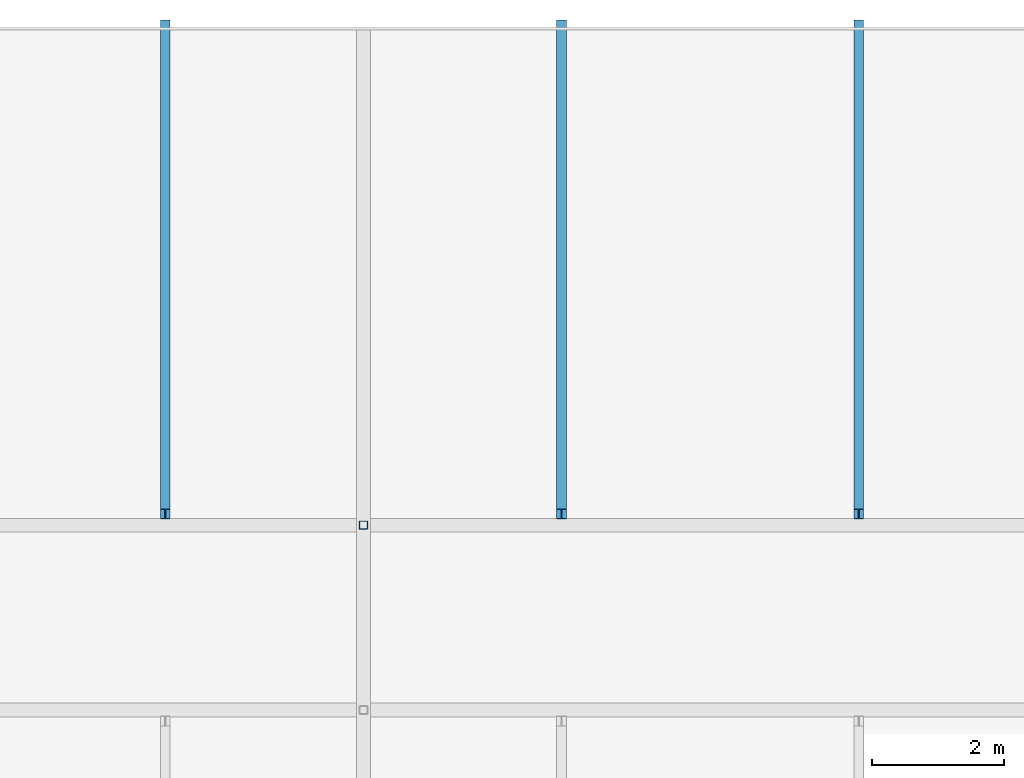
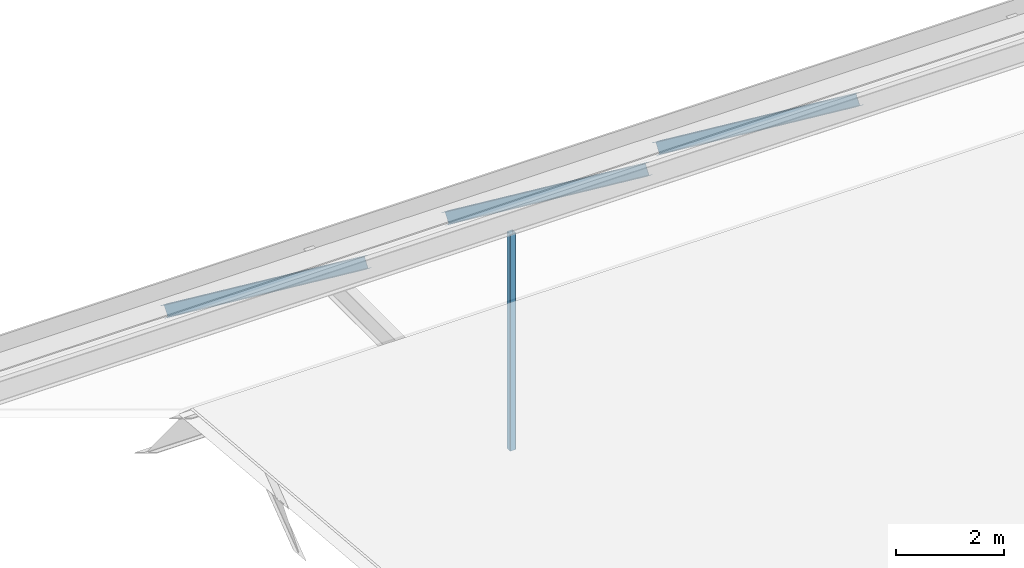
# One storey, part 30 of 57: 4 members.
"""IFC4 building model written with IfcOpenShell, lengths in metres."""

from ifc_helpers import new_model, si_unit, direction, frame, origin, origin_2d, place, context, subcontext, project, spatial, hollow_rectangle, i_section, extrude, material, material_profile, profile_set, type_object, element, save


model = new_model("IFC4")

# Units and contexts
model_context = context("Model", 3, precision=1e-05, world=origin(), true_north=direction((0.0, 1.0)))
body_context = subcontext(model_context, "Body", "Model", "MODEL_VIEW")
ifc_project = project(units=[si_unit("LENGTHUNIT", "METRE"), si_unit("AREAUNIT", "SQUARE_METRE"), si_unit("VOLUMEUNIT", "CUBIC_METRE"), si_unit("PLANEANGLEUNIT", "RADIAN"), si_unit("MASSUNIT", "GRAM", prefix="KILO")], contexts=[model_context])

# Site, building, storey
site_placement = place(None, origin())
site = spatial("IfcSite", under=ifc_project, at=site_placement, CompositionType="ELEMENT")
building_placement = place(site_placement, origin())
building = spatial("IfcBuilding", under=site, at=building_placement, Name="Saffron Lane Theatres", CompositionType="ELEMENT")
storey_placement = place(building_placement, frame((0.0, 0.0, 28.0)))
storey = spatial("IfcBuildingStorey", under=building, at=storey_placement, Name="Upper Roof", CompositionType="ELEMENT", Elevation=28.0)

# Members
ifc_material_1 = material(Name="Steel Grade 350", Category="steel")
ifc_material_profile_1 = material_profile(ifc_material_1, i_section(OverallWidth=0.14599609375, OverallDepth=0.251953125, WebThickness=0.006103515625, FlangeThickness=0.008544921875, FilletRadius=0.011962890625, at=origin_2d()))
ifc_profile_set_1 = profile_set([ifc_material_profile_1], Name="Steel Grade 350")
member_type_1 = type_object("IfcMemberType", Name="ST-JACK RAFTER 250UB31.4", PredefinedType="RAFTER", material=ifc_profile_set_1)
for number, where, z_axis, x_axis, name in (
    (1, (30.0, 125.8759765625, 0.1005859375), (0.0, -0.798250727488, 0.602325307508), (1.0, 0.0, 0.0), "BK4-K8"),
    (2, (36.0, 125.8759765625, 0.1005859375), (0.0, -0.798250727488, 0.602325307508), (1.0, 0.0, 0.0), "BK4-K10"),
    (3, (40.5, 125.8759765625, 0.1005859375), (0.0, -0.798250727488, 0.602325307508), (1.0, 0.0, 0.0), "BK4-K12"),
):
    element("IfcMember", number, at=place(storey_placement, frame(where, z_axis=z_axis, x_axis=x_axis)), inside=storey, type_object=member_type_1, Name=name, PredefinedType="RAFTER", context=body_context, shape_type="SweptSolid", body=[
        extrude(i_section(OverallWidth=0.14599609375, OverallDepth=0.251953125, WebThickness=0.006103515625, FlangeThickness=0.008544921875, FilletRadius=0.011962890625, at=origin_2d()), origin(), (0.0, 0.0, 1.0), 9.279541015625),
    ])
ifc_material_2 = material(Name="Steel Grade 350", Category="steel")
ifc_material_profile_2 = material_profile(ifc_material_2, hollow_rectangle(XDim=0.125, YDim=0.125, WallThickness=0.006103515625, InnerFilletRadius=0.0029296875, OuterFilletRadius=0.009033203125, at=origin_2d()))
ifc_profile_set_2 = profile_set([ifc_material_profile_2], Name="Steel Grade 350")
member_type_2 = type_object("IfcMemberType", Name="ST-STUDIO POST 125x125x6 SHS", PredefinedType="POST", material=ifc_profile_set_2)
member_placement = place(storey_placement, frame((33.0, 118.300048828125, 0.532958984375), z_axis=(0.0, 0.0, 1.0), x_axis=(1.0, 0.0, 0.0)))
element("IfcMember", 4, at=member_placement, inside=storey, type_object=member_type_2, Name="BK4-P3-118.3", PredefinedType="POST", context=body_context, shape_type="SweptSolid", body=[
    extrude(hollow_rectangle(XDim=0.125, YDim=0.125, WallThickness=0.006103515625, InnerFilletRadius=0.0029296875, OuterFilletRadius=0.009033203125, at=origin_2d()), origin(), (0.0, 0.0, 1.0), 4.8935546875),
])

save(model, "model.ifc")
